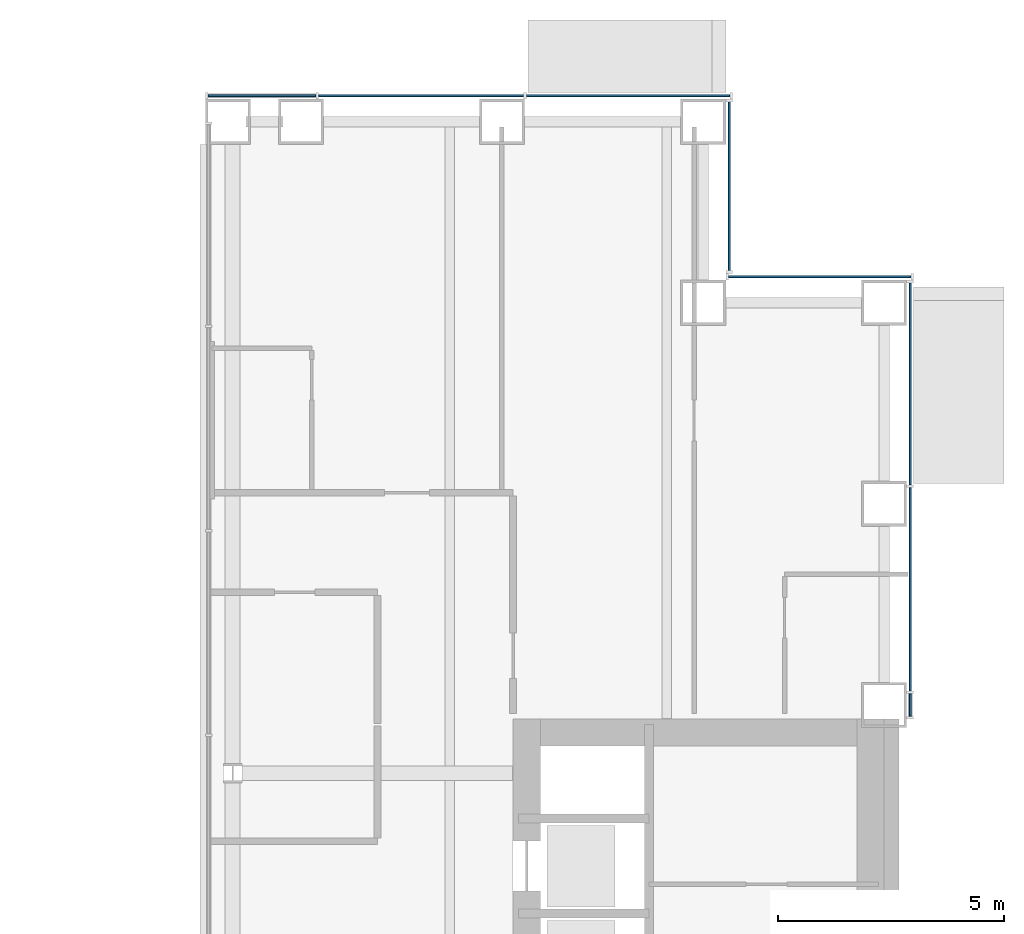
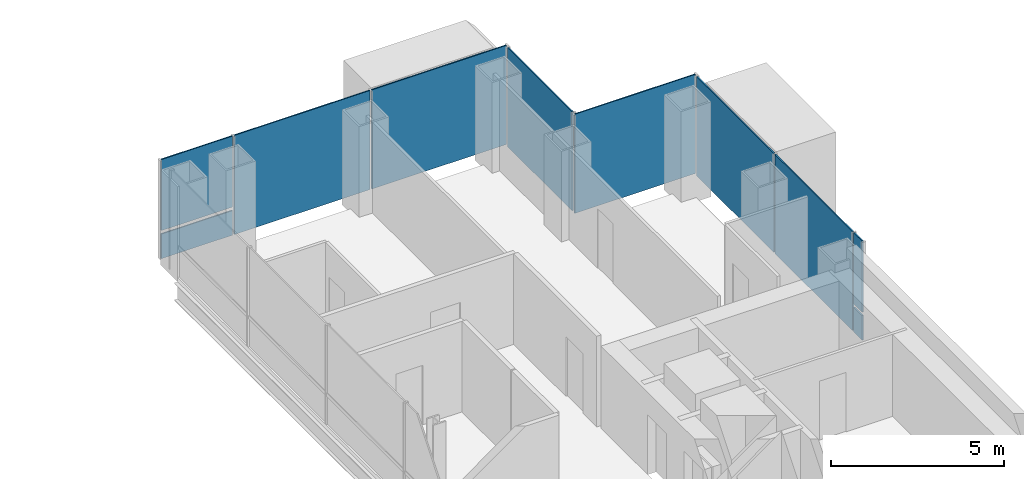
# One storey, part 13 of 21: 10 plates, 4 elements without a shape of their own.
"""IFC4 building model written with IfcOpenShell, lengths in metres."""

from ifc_helpers import new_model, si_unit, direction, frame, origin, origin_2d, place, context, subcontext, project, spatial, rectangle, extrude, material, layer, layer_set, type_object, element, aggregate, save


model = new_model("IFC4")

# Units and contexts
model_context = context("Model", 3, precision=1e-05, world=origin(), true_north=direction((0.0, 1.0)))
body_context = subcontext(model_context, "Body", "Model", "MODEL_VIEW")
ifc_project = project(units=[si_unit("LENGTHUNIT", "METRE"), si_unit("AREAUNIT", "SQUARE_METRE"), si_unit("VOLUMEUNIT", "CUBIC_METRE"), si_unit("PLANEANGLEUNIT", "RADIAN"), si_unit("MASSUNIT", "GRAM", prefix="KILO")], contexts=[model_context])

# Site, building, storey
site_placement = place(None, origin())
site = spatial("IfcSite", under=ifc_project, at=site_placement, CompositionType="ELEMENT")
building_placement = place(site_placement, origin())
building = spatial("IfcBuilding", under=site, at=building_placement, Name="Cobrizo Arcos Hotel Tower", CompositionType="ELEMENT")
storey_placement = place(building_placement, frame((0.0, 0.0, 81.0)))
storey = spatial("IfcBuildingStorey", under=building, at=storey_placement, Name="L19", CompositionType="ELEMENT", Elevation=81.0)

# Curtain wall, plate
ifc_material_1 = material(Name="Aluminium 6063-T6 anodised bronze", Category="aluminium")
curtain_wall_type = type_object("IfcCurtainWallType", Name="CW-A guest facade", PredefinedType="NOTDEFINED", material=ifc_material_1)
curtain_wall_1_placement = place(storey_placement, origin())
curtain_wall_1 = element("IfcCurtainWall", 1, at=curtain_wall_1_placement, inside=storey, type_object=curtain_wall_type, Name="CW-A L19 E face", PredefinedType="NOTDEFINED")
ifc_material_2 = material(Name="Glass clear laminated low-e", Category="glass")
ifc_layer_1 = layer(ifc_material_2, 0.0400390625)
ifc_layer_set_1 = layer_set([ifc_layer_1], Name="CW-A glass panel")
plate_type_1 = type_object("IfcPlateType", Name="CW-A glass panel", PredefinedType="CURTAIN_PANEL", material=ifc_layer_set_1)
plate_1_placement = place(storey_placement, frame((24.574951171875, 11.109375, 0.990234375), z_axis=(0.0, 0.0, 1.0), x_axis=(0.0, 1.0, 0.0)))
plate_1 = element("IfcPlate", 2, at=plate_1_placement, type_object=plate_type_1, Name="CW-A glass panel 792", PredefinedType="CURTAIN_PANEL", context=body_context, shape_type="SweptSolid", body=[
    extrude(rectangle(XDim=0.498779296875, YDim=0.0400390625, at=origin_2d()), origin(), (0.0, 0.0, 1.0), 2.510009765625),
])

curtain_wall_2_placement = place(storey_placement, origin())
curtain_wall_2 = element("IfcCurtainWall", 3, at=curtain_wall_2_placement, inside=storey, type_object=curtain_wall_type, Name="CW-A L19 N face", PredefinedType="NOTDEFINED")
plate_2_placement = place(storey_placement, frame((10.251220703125, 24.574951171875, 0.990234375), z_axis=(0.0, 0.0, 1.0), x_axis=(-1.0, 0.0, 0.0)))
plate_2 = element("IfcPlate", 4, at=plate_2_placement, type_object=plate_type_1, Name="CW-A glass panel 799", PredefinedType="CURTAIN_PANEL", context=body_context, shape_type="SweptSolid", body=[
    extrude(rectangle(XDim=2.38232421875, YDim=0.0400390625, at=origin_2d()), origin(), (0.0, 0.0, 1.0), 2.510009765625),
])

# Plate
ifc_material_3 = material(Name="Aluminium composite panel pale metal", Category="aluminium")
ifc_layer_2 = layer(ifc_material_3, 0.0400390625)
ifc_layer_set_2 = layer_set([ifc_layer_2], Name="CW-A spandrel panel")
plate_type_2 = type_object("IfcPlateType", Name="CW-A spandrel panel", PredefinedType="CURTAIN_PANEL", material=ifc_layer_set_2)
plate_3_placement = place(storey_placement, frame((24.574951171875, 11.109375, 0.0), z_axis=(0.0, 0.0, 1.0), x_axis=(0.0, 1.0, 0.0)))
plate_3 = element("IfcPlate", 5, at=plate_3_placement, type_object=plate_type_2, Name="CW-A spandrel panel 792", PredefinedType="CURTAIN_PANEL", context=body_context, shape_type="SweptSolid", body=[
    extrude(rectangle(XDim=0.498779296875, YDim=0.0400390625, at=origin_2d()), origin(), (0.0, 0.0, 1.0), 0.8701171875),
])

plate_4_placement = place(storey_placement, frame((24.574951171875, 13.666748046875, 0.0), z_axis=(0.0, 0.0, 1.0), x_axis=(0.0, 1.0, 0.0)))
plate_4 = element("IfcPlate", 6, at=plate_4_placement, type_object=plate_type_2, Name="CW-A spandrel panel 793", PredefinedType="CURTAIN_PANEL", context=body_context, shape_type="SweptSolid", body=[
    extrude(rectangle(XDim=4.49560546875, YDim=0.0400390625, at=origin_2d()), origin(), (0.0, 0.0, 1.0), 3.5),
])

plate_5_placement = place(storey_placement, frame((24.574951171875, 18.207275390625, 0.0), z_axis=(0.0, 0.0, 1.0), x_axis=(0.0, 1.0, 0.0)))
plate_5 = element("IfcPlate", 7, at=plate_5_placement, type_object=plate_type_2, Name="CW-A spandrel panel 794", PredefinedType="CURTAIN_PANEL", context=body_context, shape_type="SweptSolid", body=[
    extrude(rectangle(XDim=4.465576171875, YDim=0.0400390625, at=origin_2d()), origin(), (0.0, 0.0, 1.0), 3.5),
])

aggregate(curtain_wall_1, [plate_3, plate_1, plate_4, plate_5])

# Curtain wall, plate
curtain_wall_3_placement = place(storey_placement, origin())
curtain_wall_3 = element("IfcCurtainWall", 8, at=curtain_wall_3_placement, inside=storey, type_object=curtain_wall_type, Name="CW-A L19 N face", PredefinedType="NOTDEFINED")
plate_6_placement = place(storey_placement, frame((22.574951171875, 20.574951171875, 0.0), z_axis=(0.0, 0.0, 1.0), x_axis=(-1.0, 0.0, 0.0)))
plate_6 = element("IfcPlate", 9, at=plate_6_placement, type_object=plate_type_2, Name="CW-A spandrel panel 795", PredefinedType="CURTAIN_PANEL", context=body_context, shape_type="SweptSolid", body=[
    extrude(rectangle(XDim=4.030029296875, YDim=0.0400390625, at=origin_2d()), origin(), (0.0, 0.0, 1.0), 3.5),
])
aggregate(curtain_wall_3, [plate_6])

curtain_wall_4_placement = place(storey_placement, origin())
curtain_wall_4 = element("IfcCurtainWall", 10, at=curtain_wall_4_placement, inside=storey, type_object=curtain_wall_type, Name="CW-A L19 E face", PredefinedType="NOTDEFINED")
plate_7_placement = place(storey_placement, frame((20.574951171875, 22.574951171875, 0.0), z_axis=(0.0, 0.0, 1.0), x_axis=(0.0, 1.0, 0.0)))
plate_7 = element("IfcPlate", 11, at=plate_7_placement, type_object=plate_type_2, Name="CW-A spandrel panel 796", PredefinedType="CURTAIN_PANEL", context=body_context, shape_type="SweptSolid", body=[
    extrude(rectangle(XDim=3.72998046875, YDim=0.0400390625, at=origin_2d()), origin(), (0.0, 0.0, 1.0), 3.5),
])
aggregate(curtain_wall_4, [plate_7])

# Plate
plate_8_placement = place(storey_placement, frame((18.340576171875, 24.574951171875, 0.0), z_axis=(0.0, 0.0, 1.0), x_axis=(-1.0, 0.0, 0.0)))
plate_8 = element("IfcPlate", 12, at=plate_8_placement, type_object=plate_type_2, Name="CW-A spandrel panel 797", PredefinedType="CURTAIN_PANEL", context=body_context, shape_type="SweptSolid", body=[
    extrude(rectangle(XDim=4.498779296875, YDim=0.0400390625, at=origin_2d()), origin(), (0.0, 0.0, 1.0), 3.5),
])

plate_9_placement = place(storey_placement, frame((13.7666015625, 24.574951171875, 0.0), z_axis=(0.0, 0.0, 1.0), x_axis=(-1.0, 0.0, 0.0)))
plate_9 = element("IfcPlate", 13, at=plate_9_placement, type_object=plate_type_2, Name="CW-A spandrel panel 798", PredefinedType="CURTAIN_PANEL", context=body_context, shape_type="SweptSolid", body=[
    extrude(rectangle(XDim=4.52880859375, YDim=0.0400390625, at=origin_2d()), origin(), (0.0, 0.0, 1.0), 3.5),
])

plate_10_placement = place(storey_placement, frame((10.251220703125, 24.574951171875, 0.0), z_axis=(0.0, 0.0, 1.0), x_axis=(-1.0, 0.0, 0.0)))
plate_10 = element("IfcPlate", 14, at=plate_10_placement, type_object=plate_type_2, Name="CW-A spandrel panel 799", PredefinedType="CURTAIN_PANEL", context=body_context, shape_type="SweptSolid", body=[
    extrude(rectangle(XDim=2.38232421875, YDim=0.0400390625, at=origin_2d()), origin(), (0.0, 0.0, 1.0), 0.8701171875),
])

aggregate(curtain_wall_2, [plate_8, plate_9, plate_10, plate_2])

save(model, "model.ifc")
